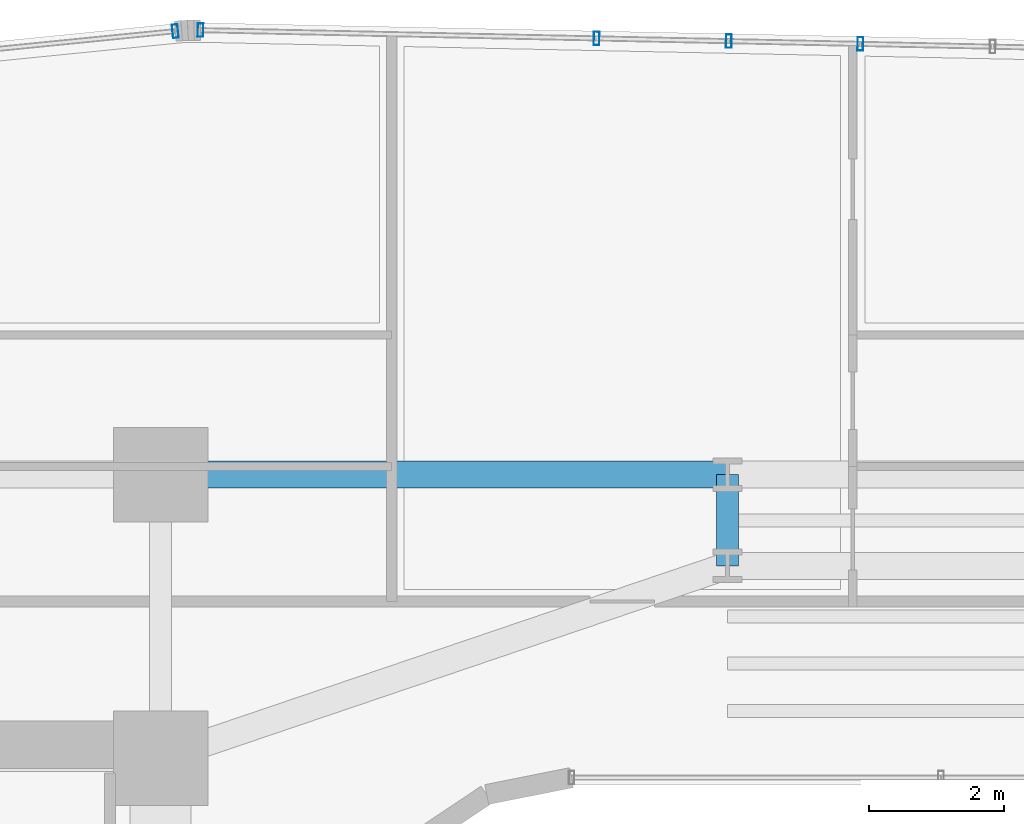
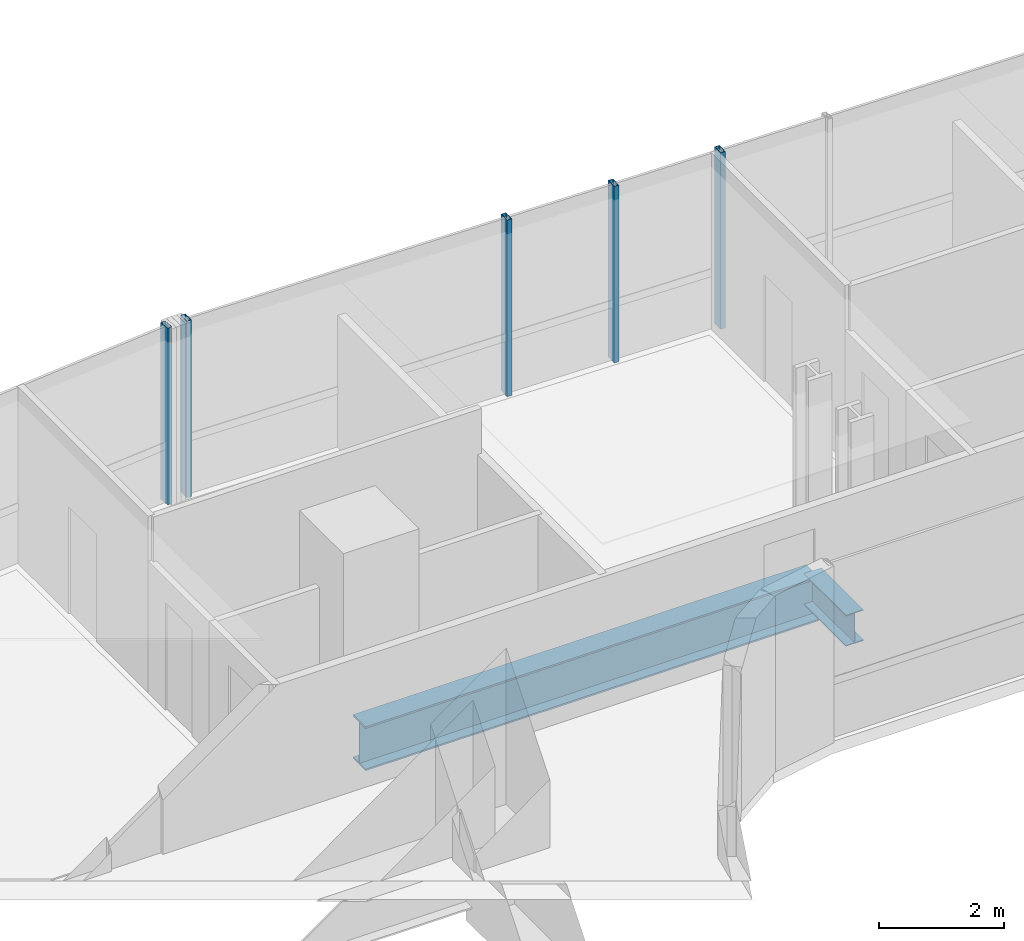
# One storey, part 21 of 42: 5 members, 2 beams, 2 elements without a shape of their own.
"""IFC4 building model written with IfcOpenShell, lengths in metres."""

from ifc_helpers import new_model, si_unit, direction, frame, origin, origin_2d, place, context, subcontext, project, spatial, hollow_rectangle, i_section, extrude, source, transform, mapped, material, material_profile, profile_set, type_object, element, aggregate, save


model = new_model("IFC4")

# Units and contexts
model_context = context("Model", 3, precision=1e-05, world=origin(), true_north=direction((0.0, 1.0)))
body_context = subcontext(model_context, "Body", "Model", "MODEL_VIEW")
ifc_project = project(units=[si_unit("LENGTHUNIT", "METRE"), si_unit("AREAUNIT", "SQUARE_METRE"), si_unit("VOLUMEUNIT", "CUBIC_METRE"), si_unit("PLANEANGLEUNIT", "RADIAN"), si_unit("MASSUNIT", "GRAM", prefix="KILO")], contexts=[model_context])

# Site, building, storey
site_placement = place(None, origin())
site = spatial("IfcSite", under=ifc_project, at=site_placement, CompositionType="ELEMENT")
building_placement = place(site_placement, origin())
building = spatial("IfcBuilding", under=site, at=building_placement, Name="Valdorenza Pilgrim Sanctuary Tower", CompositionType="ELEMENT")
storey_placement = place(building_placement, frame((0.0, 0.0, 55.60009765625)))
storey = spatial("IfcBuildingStorey", under=building, at=storey_placement, Name="L13", CompositionType="ELEMENT", Elevation=55.60009765625)

# Beams
ifc_material_1 = material(Name="Steel ASTM A992 Grade 50", Category="steel")
ifc_material_profile_1 = material_profile(ifc_material_1, i_section(OverallWidth=0.39990234375, OverallDepth=0.862060546875, WebThickness=0.019775390625, FlangeThickness=0.032470703125, at=origin_2d()), Name="W33X221")
ifc_profile_set_1 = profile_set([ifc_material_profile_1], Name="Steel ASTM A992 Grade 50")
beam_type_1 = type_object("IfcBeamType", Name="STR-BM-GRD-W33", PredefinedType="BEAM", material=ifc_profile_set_1)
shared_shape_1 = source(origin(), body_context, "Body", "SweptSolid", [
    extrude(i_section(OverallWidth=0.39990234375, OverallDepth=0.862060546875, WebThickness=0.019775390625, FlangeThickness=0.032470703125, at=origin_2d()), origin(), (0.0, 0.0, 1.0), 8.39990234375),
])
beam_1_placement = place(storey_placement, frame((-12.39990234375, 14.800048828125, -0.671142578125), z_axis=(1.0, 0.0, 0.0), x_axis=(0.0, 1.0, 0.0)))
element("IfcBeam", 1, at=beam_1_placement, inside=storey, type_object=beam_type_1, Name="L13 Floor Girder KNK-G4", PredefinedType="BEAM", context=body_context, shape_type="MappedRepresentation", body=[
    mapped(shared_shape_1, transform((0.0, 0.0, 0.0), x_axis=(1.0, 0.0, 0.0), y_axis=(0.0, 1.0, 0.0), z_axis=(0.0, 0.0, 1.0), scale=1.0)),
])
ifc_material_profile_2 = material_profile(ifc_material_1, i_section(OverallWidth=0.323974609375, OverallDepth=0.611083984375, WebThickness=0.0126953125, FlangeThickness=0.01904296875, at=origin_2d()), Name="W24X104")
ifc_profile_set_2 = profile_set([ifc_material_profile_2], Name="Steel ASTM A992 Grade 50")
beam_type_2 = type_object("IfcBeamType", Name="STR-BM-GRD-W24B", PredefinedType="BEAM", material=ifc_profile_set_2)
shared_shape_2 = source(origin(), body_context, "Body", "SweptSolid", [
    extrude(i_section(OverallWidth=0.323974609375, OverallDepth=0.611083984375, WebThickness=0.0126953125, FlangeThickness=0.01904296875, at=origin_2d()), origin(), (0.0, 0.0, 1.0), 1.35009765625),
])
beam_2_placement = place(storey_placement, frame((-4.0, 13.449951171875, -0.545654296875), z_axis=(0.0, 1.0, 0.0), x_axis=(-1.0, 0.0, 0.0)))
element("IfcBeam", 2, at=beam_2_placement, inside=storey, type_object=beam_type_2, Name="L13 Floor Girder KNK-TIE-W", PredefinedType="BEAM", context=body_context, shape_type="MappedRepresentation", body=[
    mapped(shared_shape_2, transform((0.0, 0.0, 0.0), x_axis=(1.0, 0.0, 0.0), y_axis=(0.0, 1.0, 0.0), z_axis=(0.0, 0.0, 1.0), scale=1.0)),
])

# Curtain wall, member
ifc_material_2 = material(Name="Curtain-wall IGU glazing", Category="glass")
curtain_wall_type = type_object("IfcCurtainWallType", Name="CW-SYS-02", PredefinedType="NOTDEFINED", material=ifc_material_2)
curtain_wall_1_placement = place(storey_placement, origin())
curtain_wall_1 = element("IfcCurtainWall", 3, at=curtain_wall_1_placement, inside=storey, type_object=curtain_wall_type, Name="L13 Curtain Wall CW-L13-1-6", PredefinedType="NOTDEFINED")
ifc_material_3 = material(Name="Anodised aluminium AW-6060", Category="aluminium")
ifc_material_profile_3 = material_profile(ifc_material_3, hollow_rectangle(XDim=0.0849609375, YDim=0.199951171875, WallThickness=0.0048828125, at=origin_2d()), Name="ALU-M 200x85x5")
ifc_profile_set_3 = profile_set([ifc_material_profile_3], Name="Anodised aluminium AW-6060")
member_type = type_object("IfcMemberType", Name="CW-MUL-02", PredefinedType="MULLION", material=ifc_profile_set_3)
shared_shape_3 = source(origin(), body_context, "Body", "SweptSolid", [
    extrude(hollow_rectangle(XDim=0.0849609375, YDim=0.199951171875, WallThickness=0.0048828125, at=origin_2d()), origin(), (0.0, 0.0, 1.0), 3.4599609375),
])
member_1_placement = place(storey_placement, frame((-12.181884765625, 21.371337890625, 0.0), z_axis=(0.0, 0.0, 1.0), x_axis=(0.995038220239, 0.099493418189, 0.0)))
member_1 = element("IfcMember", 4, at=member_1_placement, type_object=member_type, Name="CW-L13-1-6 Mullion 4", PredefinedType="MULLION", context=body_context, shape_type="MappedRepresentation", body=[
    mapped(shared_shape_3, transform((0.0, 0.0, 0.0), x_axis=(1.0, 0.0, 0.0), y_axis=(0.0, 1.0, 0.0), z_axis=(0.0, 0.0, 1.0), scale=1.0)),
])
aggregate(curtain_wall_1, [member_1])

# Curtain wall, members
curtain_wall_2_placement = place(storey_placement, origin())
curtain_wall_2 = element("IfcCurtainWall", 5, at=curtain_wall_2_placement, inside=storey, type_object=curtain_wall_type, Name="L13 Curtain Wall CW-L13-1-11", PredefinedType="NOTDEFINED")
member_2_placement = place(storey_placement, frame((-11.808349609375, 21.385986328125, 0.0), z_axis=(0.0, 0.0, 1.0), x_axis=(0.999783234613, -0.020820273474, 0.0)))
member_2 = element("IfcMember", 6, at=member_2_placement, type_object=member_type, Name="CW-L13-1-11 Mullion 1", PredefinedType="MULLION", context=body_context, shape_type="MappedRepresentation", body=[
    mapped(shared_shape_3, transform((0.0, 0.0, 0.0), x_axis=(1.0, 0.0, 0.0), y_axis=(0.0, 1.0, 0.0), z_axis=(0.0, 0.0, 1.0), scale=1.0)),
])
member_3_placement = place(storey_placement, frame((-5.93994140625, 21.263671875, 0.0), z_axis=(0.0, 0.0, 1.0), x_axis=(0.999783234613, -0.020820273474, 0.0)))
member_3 = element("IfcMember", 7, at=member_3_placement, type_object=member_type, Name="CW-L13-1-11 Mullion 2", PredefinedType="MULLION", context=body_context, shape_type="MappedRepresentation", body=[
    mapped(shared_shape_3, transform((0.0, 0.0, 0.0), x_axis=(1.0, 0.0, 0.0), y_axis=(0.0, 1.0, 0.0), z_axis=(0.0, 0.0, 1.0), scale=1.0)),
])
member_4_placement = place(storey_placement, frame((-3.98046875, 21.222900390625, 0.0), z_axis=(0.0, 0.0, 1.0), x_axis=(0.999783234613, -0.020820273474, 0.0)))
member_4 = element("IfcMember", 8, at=member_4_placement, type_object=member_type, Name="CW-L13-1-11 Sub-Mullion 15-1", PredefinedType="MULLION", context=body_context, shape_type="MappedRepresentation", body=[
    mapped(shared_shape_3, transform((0.0, 0.0, 0.0), x_axis=(1.0, 0.0, 0.0), y_axis=(0.0, 1.0, 0.0), z_axis=(0.0, 0.0, 1.0), scale=1.0)),
])
member_5_placement = place(storey_placement, frame((-2.03076171875, 21.182373046875, 0.0), z_axis=(0.0, 0.0, 1.0), x_axis=(0.999783234613, -0.020820273474, 0.0)))
member_5 = element("IfcMember", 9, at=member_5_placement, type_object=member_type, Name="CW-L13-1-11 Sub-Mullion 15-2", PredefinedType="MULLION", context=body_context, shape_type="MappedRepresentation", body=[
    mapped(shared_shape_3, transform((0.0, 0.0, 0.0), x_axis=(1.0, 0.0, 0.0), y_axis=(0.0, 1.0, 0.0), z_axis=(0.0, 0.0, 1.0), scale=1.0)),
])
aggregate(curtain_wall_2, [member_2, member_3, member_4, member_5])

save(model, "model.ifc")
